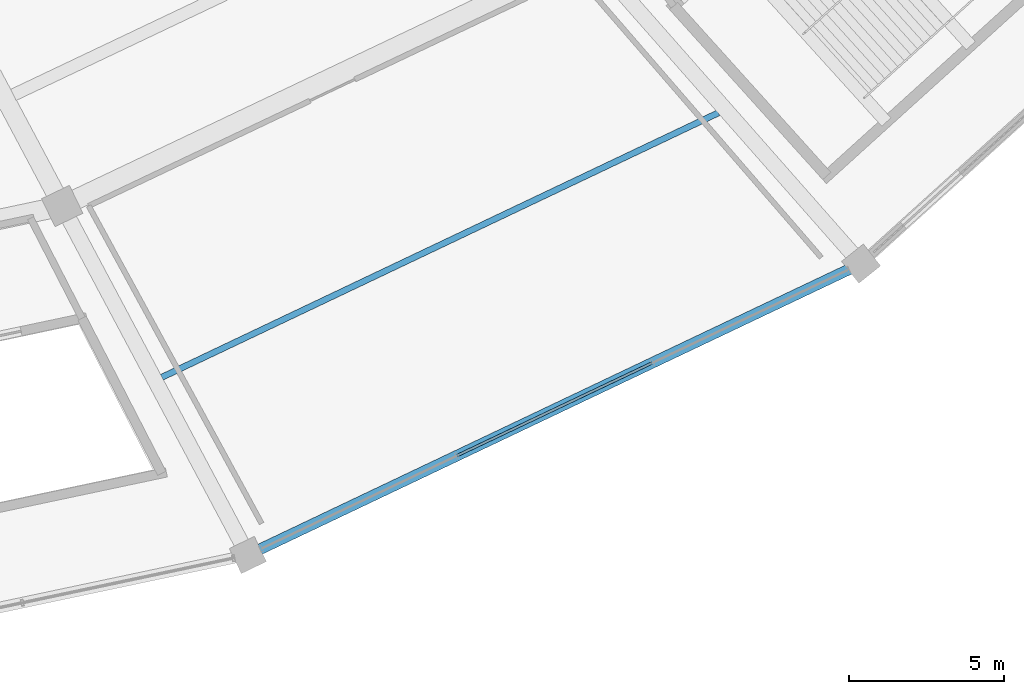
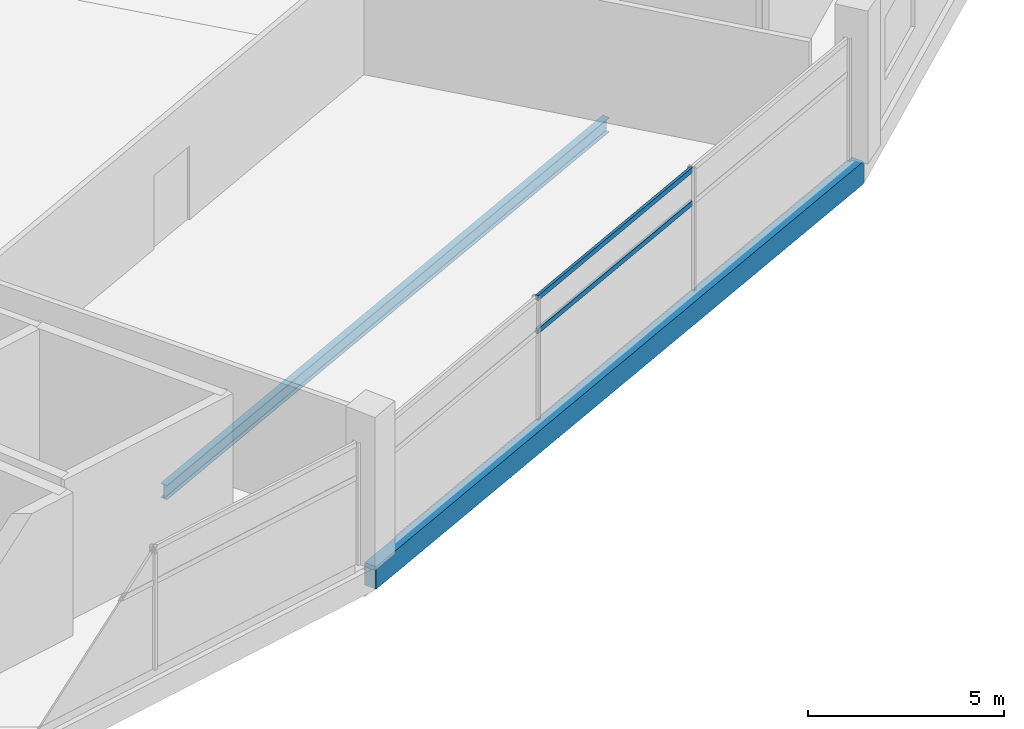
# One storey, part 54 of 171: 2 beams, 2 members, 1 element without a shape of its own.
"""IFC4 building model written with IfcOpenShell, lengths in metres."""

import ifcopenshell
import ifcopenshell.guid

model = None  # the IFC model being written
_history = None  # IfcOwnerHistory: only IFC2X3 demands one
_inside = {}  # id of a spatial element -> (the spatial element, [elements in it])
_under = {}  # id of a project, library or spatial element -> (it, [spatial elements below it])
_declared = {}  # id of a project -> (the project, [libraries it declares])
_typed = {}  # id of a type object -> (the type object, [elements of that type])
_made_of = {}  # id of a material, layer set ... -> (it, [elements and type objects made of it])


def new_model(schema):
    """Start an empty IFC model of exactly this schema.

    Asked for "IFC4X3", IfcOpenShell would pick the latest addendum, in which some entities
    have other attributes; the version numbers below select the first issue.
    IFC2X3 requires an IfcOwnerHistory on every rooted entity: one is made here for all.
    """
    global model, _history
    if schema == "IFC4X3":
        model = ifcopenshell.file(schema_version=(4, 3, 0, 0))
    else:
        model = ifcopenshell.file(schema=schema)
    _inside.clear()
    _under.clear()
    _declared.clear()
    _typed.clear()
    _made_of.clear()
    _history = None
    if model.schema == "IFC2X3":
        org = make("IfcOrganization", Name="unknown")
        user = make(
            "IfcPersonAndOrganization",
            ThePerson=make("IfcPerson", FamilyName="unknown"),
            TheOrganization=org,
        )
        app = make(
            "IfcApplication",
            ApplicationDeveloper=org,
            Version="unknown",
            ApplicationFullName="unknown",
            ApplicationIdentifier="unknown",
        )
        _history = make(
            "IfcOwnerHistory",
            OwningUser=user,
            OwningApplication=app,
            ChangeAction="ADDED",
            CreationDate=0,
        )
    return model


def make(cls, **values):
    """One entity of the class cls with the attributes given. An attribute that is None is left unset."""
    return model.create_entity(
        cls, **{name: value for name, value in values.items() if value is not None}
    )


def rooted(cls, **values):
    """An entity with a GlobalId (a new one), such as an element, a storey or a relation."""
    return make(cls, GlobalId=ifcopenshell.guid.new(), OwnerHistory=_history, **values)


def si_unit(unit_type, name, prefix=None):
    """IfcSIUnit, for example si_unit("LENGTHUNIT", "METRE", prefix="MILLI")."""
    return make("IfcSIUnit", UnitType=unit_type, Prefix=prefix, Name=name)


def assignment(units):
    """IfcUnitAssignment: the units of a project."""
    return None if units is None else make("IfcUnitAssignment", Units=units)


def point(xyz):
    """IfcCartesianPoint."""
    return None if xyz is None else make("IfcCartesianPoint", Coordinates=xyz)


def direction(xyz):
    """IfcDirection."""
    return None if xyz is None else make("IfcDirection", DirectionRatios=xyz)


def frame(location, z_axis=None, x_axis=None):
    """IfcAxis2Placement3D, a coordinate frame: its origin and axes. An axis left out is left unset."""
    return make(
        "IfcAxis2Placement3D",
        Location=point(location),
        Axis=direction(z_axis),
        RefDirection=direction(x_axis),
    )


def frame_2d(location, x_axis=None):
    """IfcAxis2Placement2D, a coordinate frame in the plane: its origin and x axis."""
    return make(
        "IfcAxis2Placement2D", Location=point(location), RefDirection=direction(x_axis)
    )


def origin():
    """The frame at (0, 0, 0) with its axes left unset."""
    return frame((0.0, 0.0, 0.0))


def origin_2d():
    """The frame at (0, 0) in the plane with its x axis left unset."""
    return frame_2d((0.0, 0.0))


def place(relative_to, where):
    """IfcLocalPlacement: puts the frame where relative to a parent placement (None: the world)."""
    return make(
        "IfcLocalPlacement", PlacementRelTo=relative_to, RelativePlacement=where
    )


def context(
    kind, dimensions, precision=None, world=None, true_north=None, identifier=None
):
    """IfcGeometricRepresentationContext, for example the 3D "Model" context."""
    return make(
        "IfcGeometricRepresentationContext",
        ContextIdentifier=identifier,
        ContextType=kind,
        CoordinateSpaceDimension=dimensions,
        Precision=precision,
        WorldCoordinateSystem=world,
        TrueNorth=true_north,
    )


def subcontext(parent, identifier, kind, view, scale=None):
    """IfcGeometricRepresentationSubContext, for example "Body" below "Model"."""
    return make(
        "IfcGeometricRepresentationSubContext",
        ContextIdentifier=identifier,
        ContextType=kind,
        ParentContext=parent,
        TargetScale=scale,
        TargetView=view,
    )


def project(units=None, contexts=None):
    """IfcProject with its units and contexts."""
    return rooted(
        "IfcProject",
        Name="project",
        RepresentationContexts=contexts,
        UnitsInContext=assignment(units),
    )


def spatial(cls, under=None, at=None, **own):
    """A site, building, storey or space (cls), placed at a placement, below another one or the project."""
    s = rooted(cls, ObjectPlacement=at, **own)
    if under is not None:
        _under.setdefault(under.id(), (under, []))[1].append(s)
    return s


def profile(cls, at=None, kind="AREA", **sizes):
    """A parametric profile (cls). Its sizes go by their IFC names, for example OverallWidth=200.0."""
    return make(cls, ProfileType=kind, Position=at, **sizes)


def rectangle(**sizes):
    """IfcRectangleProfileDef."""
    return profile("IfcRectangleProfileDef", **sizes)


def hollow_rectangle(**sizes):
    """IfcRectangleHollowProfileDef."""
    return profile("IfcRectangleHollowProfileDef", **sizes)


def i_section(**sizes):
    """IfcIShapeProfileDef."""
    return profile("IfcIShapeProfileDef", **sizes)


def extrude(swept, where, along, depth):
    """IfcExtrudedAreaSolid: the profile swept, set in the frame where, extruded along a direction by depth."""
    return make(
        "IfcExtrudedAreaSolid",
        SweptArea=swept,
        Position=where,
        ExtrudedDirection=direction(along),
        Depth=depth,
    )


def shape(context_of_items, identifier, shape_type, items):
    """IfcShapeRepresentation: the items that make up one representation, for example the "Body"."""
    return make(
        "IfcShapeRepresentation",
        ContextOfItems=context_of_items,
        RepresentationIdentifier=identifier,
        RepresentationType=shape_type,
        Items=items,
    )


def material(Name=None, Category=None):
    """IfcMaterial."""
    return make("IfcMaterial", Name=Name, Category=Category)


def layer(
    of_material, thickness, ventilated=None, Name=None, Category=None, Priority=None
):
    """IfcMaterialLayer: one layer of a wall or slab, of a material (None: an air gap)."""
    return make(
        "IfcMaterialLayer",
        Material=of_material,
        LayerThickness=thickness,
        IsVentilated=ventilated,
        Name=Name,
        Category=Category,
        Priority=Priority,
    )


def layer_set(layers, Name=None):
    """IfcMaterialLayerSet."""
    return make("IfcMaterialLayerSet", MaterialLayers=layers, LayerSetName=Name)


def material_profile(
    of_material, cross_section, Name=None, Category=None, Priority=None
):
    """IfcMaterialProfile: a cross section and its material."""
    return make(
        "IfcMaterialProfile",
        Name=Name,
        Material=of_material,
        Profile=cross_section,
        Priority=Priority,
        Category=Category,
    )


def profile_set(profiles, Name=None, composite=None):
    """IfcMaterialProfileSet."""
    return make(
        "IfcMaterialProfileSet",
        Name=Name,
        MaterialProfiles=profiles,
        CompositeProfile=composite,
    )


def made_of(thing, what):
    """Note that an element or type object is made of a material, layer set ...; save() writes the relation."""
    if what is not None:
        _made_of.setdefault(what.id(), (what, []))[1].append(thing)
    return thing


def type_object(cls, material=None, **own):
    """A type object (cls), such as IfcWallType, which elements share."""
    return made_of(rooted(cls, **own), material)


def element(
    cls,
    number,
    at=None,
    inside=None,
    cuts=None,
    type_object=None,
    material=None,
    context=None,
    identifier="Body",
    shape_type=None,
    held_by="IfcProductDefinitionShape",
    body=None,
    shapes=None,
    **own,
):
    """One element of the class cls, such as IfcWall. Its Tag is "e" and its number.

    at: its placement. inside: the storey or other place that contains it. cuts: it is an
    opening in that element (IfcRelVoidsElement). A single representation is given by context,
    identifier, shape_type and body (its items); several are given by shapes. held_by: the class
    of the entity that holds the representations. save() writes the other relations.
    """
    e = rooted(cls, Tag="e%d" % number, ObjectPlacement=at, **own)
    if body is not None:
        shapes = [shape(context, identifier, shape_type, body)]
    if shapes is not None:
        e.Representation = make(held_by, Representations=shapes)
    if inside is not None:
        _inside.setdefault(inside.id(), (inside, []))[1].append(e)
    if cuts is not None:
        rooted(
            "IfcRelVoidsElement", RelatingBuildingElement=cuts, RelatedOpeningElement=e
        )
    if type_object is not None:
        _typed.setdefault(type_object.id(), (type_object, []))[1].append(e)
    return made_of(e, material)


def aggregate(whole, parts):
    """IfcRelAggregates: a whole, such as a stair, and the parts it consists of."""
    return rooted("IfcRelAggregates", RelatingObject=whole, RelatedObjects=parts)


def save(model, path):
    """Write the relations noted so far, then the file.

    IfcRelAggregates (storeys below a building ...), IfcRelContainedInSpatialStructure (elements
    in a storey), IfcRelDefinesByType, IfcRelAssociatesMaterial and IfcRelDeclares: one each for
    every whole, place, type object, material and project.
    """
    for whole, parts in _under.values():
        aggregate(whole, parts)
    for where, things in _inside.values():
        rooted(
            "IfcRelContainedInSpatialStructure",
            RelatedElements=things,
            RelatingStructure=where,
        )
    for kind, things in _typed.values():
        rooted("IfcRelDefinesByType", RelatedObjects=things, RelatingType=kind)
    for what, things in _made_of.values():
        rooted("IfcRelAssociatesMaterial", RelatedObjects=things, RelatingMaterial=what)
    for by, libraries in _declared.values():
        rooted("IfcRelDeclares", RelatingContext=by, RelatedDefinitions=libraries)
    model.write(path)


model = new_model("IFC4")

# Units and contexts
model_context = context("Model", 3, precision=1e-05, world=origin(), true_north=direction((0.0, 1.0)))
body_context = subcontext(model_context, "Body", "Model", "MODEL_VIEW")
ifc_project = project(units=[si_unit("LENGTHUNIT", "METRE"), si_unit("AREAUNIT", "SQUARE_METRE"), si_unit("VOLUMEUNIT", "CUBIC_METRE"), si_unit("PLANEANGLEUNIT", "RADIAN"), si_unit("MASSUNIT", "GRAM", prefix="KILO")], contexts=[model_context])

# Site, building, storey
site_placement = place(None, origin())
site = spatial("IfcSite", under=ifc_project, at=site_placement, CompositionType="ELEMENT")
building_placement = place(site_placement, origin())
building = spatial("IfcBuilding", under=site, at=building_placement, Name="Kazemori Nagisa Stadium", CompositionType="ELEMENT")
storey_placement = place(building_placement, frame((0.0, 0.0, 15.639892578125)))
storey = spatial("IfcBuildingStorey", under=building, at=storey_placement, Name="L03", CompositionType="ELEMENT", Elevation=15.639892578125)

# Beams
ifc_material_1 = material(Name="Steel SN490B", Category="steel")
ifc_material_profile_1 = material_profile(ifc_material_1, i_section(OverallWidth=0.199951171875, OverallDepth=0.449951171875, WebThickness=0.009033203125, FlangeThickness=0.013916015625, FilletRadius=0.012939453125, at=origin_2d()), Name="H-450x200x9x14")
ifc_profile_set_1 = profile_set([ifc_material_profile_1], Name="Steel SN490B")
beam_type_1 = type_object("IfcBeamType", Name="Beam_BJ-H450", PredefinedType="JOIST", material=ifc_profile_set_1)
beam_1_placement = place(storey_placement, frame((163.02978515625, 27.2734375, -0.48486328125), z_axis=(0.903215058486, 0.429188254876, 0.0), x_axis=(-0.429188254876, 0.903215058486, 0.0)))
element("IfcBeam", 1, at=beam_1_placement, inside=storey, type_object=beam_type_1, Name="Outer bay joist BJ-H450 L03 B24", PredefinedType="JOIST", context=body_context, shape_type="SweptSolid", body=[
    extrude(i_section(OverallWidth=0.199951171875, OverallDepth=0.449951171875, WebThickness=0.009033203125, FlangeThickness=0.013916015625, FilletRadius=0.012939453125, at=origin_2d()), origin(), (0.0, 0.0, 1.0), 19.89013671875),
])
ifc_material_2 = material(Name="Concrete C40/50 (Fc42)", Category="concrete")
ifc_material_profile_2 = material_profile(ifc_material_2, rectangle(XDim=0.35009765625, YDim=0.699951171875, at=origin_2d()), Name="RC-SP-350x700")
ifc_profile_set_2 = profile_set([ifc_material_profile_2], Name="Concrete C40/50 (Fc42)")
beam_type_2 = type_object("IfcBeamType", Name="Beam_BS-RC350X700", PredefinedType="SPANDREL", material=ifc_profile_set_2)
beam_2_placement = place(storey_placement, frame((165.8046875, 21.53564453125, -0.60986328125), z_axis=(0.903215644095, 0.429187022475, 0.0), x_axis=(-0.429187022475, 0.903215644095, 0.0)))
element("IfcBeam", 2, at=beam_2_placement, inside=storey, type_object=beam_type_2, Name="Ring girder BS-RC350X700 L03 R3-24", PredefinedType="SPANDREL", context=body_context, shape_type="SweptSolid", body=[
    extrude(rectangle(XDim=0.35009765625, YDim=0.699951171875, at=origin_2d()), origin(), (0.0, 0.0, 1.0), 21.9140625),
])

# Curtain wall, members
ifc_material_3 = material(Name="Anodised aluminium 6063-T5", Category="aluminium")
ifc_layer = layer(ifc_material_3, 0.2099609375, Name="Anodised aluminium 6063-T5", Category="aluminium")
ifc_layer_set = layer_set([ifc_layer], Name="Anodised aluminium 6063-T5")
curtain_wall_type = type_object("IfcCurtainWallType", Name="CW_L03R3_105", PredefinedType="USERDEFINED", material=ifc_layer_set)
curtain_wall_placement = place(storey_placement, origin())
curtain_wall = element("IfcCurtainWall", 3, at=curtain_wall_placement, inside=storey, type_object=curtain_wall_type, Name="Unitised curtain wall CW-L03R3-105 L03", ObjectType="UNITISED CURTAIN WALL", PredefinedType="USERDEFINED")
ifc_material_4 = material(Name="Aluminium 6063-T5 anodised", Category="aluminium")
ifc_material_profile_3 = material_profile(ifc_material_4, hollow_rectangle(XDim=0.080078125, YDim=0.159912109375, WallThickness=0.00390625, at=origin_2d()), Name="ALU-TRAN-80x160x4")
ifc_profile_set_3 = profile_set([ifc_material_profile_3], Name="Aluminium 6063-T5 anodised")
member_type = type_object("IfcMemberType", Name="Transom_T02", PredefinedType="USERDEFINED", material=ifc_profile_set_3)
member_1_placement = place(storey_placement, frame((172.5634765625, 24.747314453125, 2.705322265625), z_axis=(0.903207701329, 0.429203737473, 0.0), x_axis=(-0.429203737473, 0.903207701329, 0.0)))
member_1 = element("IfcMember", 4, at=member_1_placement, type_object=member_type, Name="Curtain wall transom CW-L03R3-105-T2-mid", ObjectType="TRANSOM", PredefinedType="USERDEFINED", context=body_context, shape_type="SweptSolid", body=[
    extrude(hollow_rectangle(XDim=0.080078125, YDim=0.159912109375, WallThickness=0.00390625, at=origin_2d()), origin(), (0.0, 0.0, 1.0), 6.9482421875),
])
member_2_placement = place(storey_placement, frame((172.5634765625, 24.747314453125, 3.739990234375), z_axis=(0.903207701329, 0.429203737473, 0.0), x_axis=(-0.429203737473, 0.903207701329, 0.0)))
member_2 = element("IfcMember", 5, at=member_2_placement, type_object=member_type, Name="Curtain wall transom CW-L03R3-105-T2-head", ObjectType="TRANSOM", PredefinedType="USERDEFINED", context=body_context, shape_type="SweptSolid", body=[
    extrude(hollow_rectangle(XDim=0.080078125, YDim=0.159912109375, WallThickness=0.00390625, at=origin_2d()), origin(), (0.0, 0.0, 1.0), 6.9482421875),
])
aggregate(curtain_wall, [member_1, member_2])

save(model, "model.ifc")
